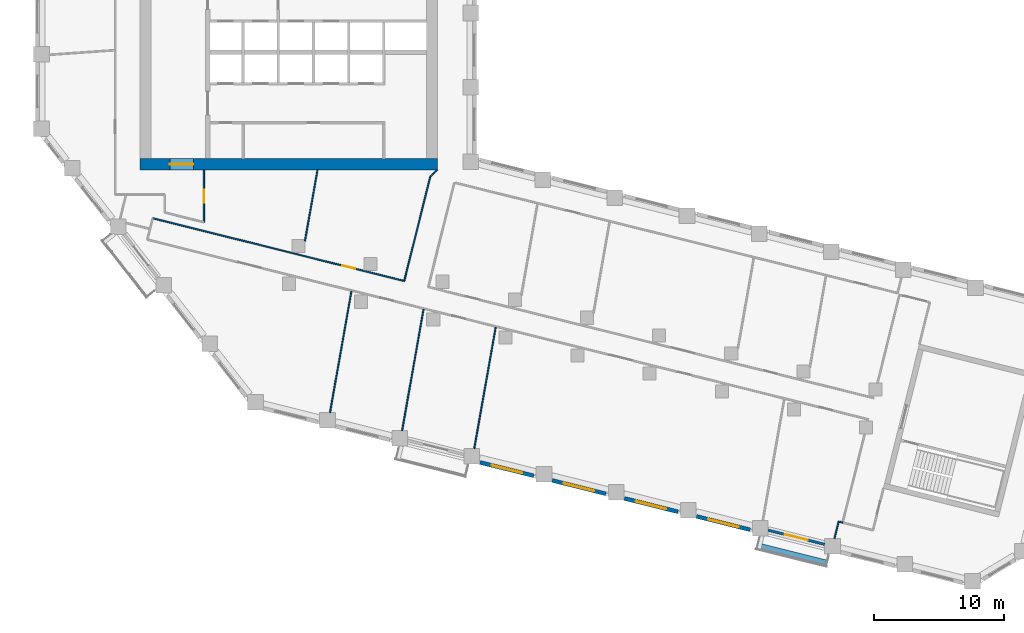
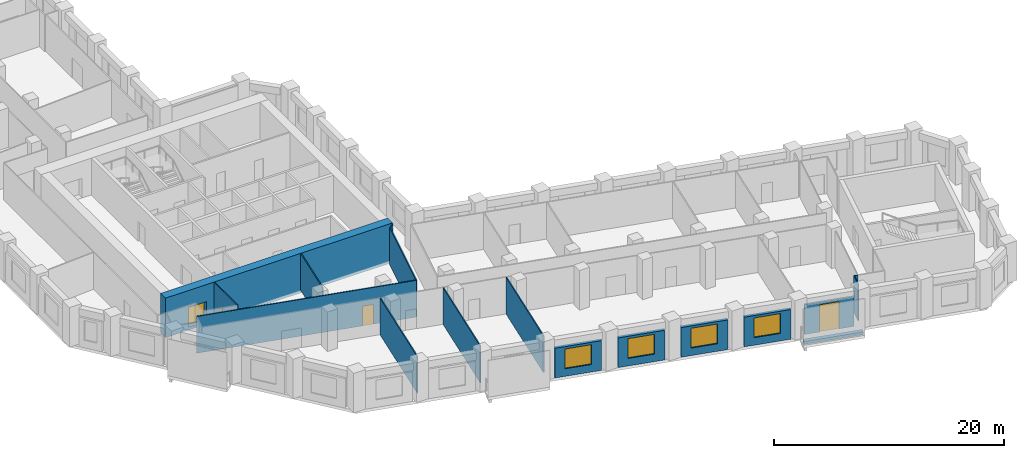
# One storey, part 3 of 10: 17 walls, 4 doors, 4 windows, 8 openings.
"""IFC4 building model written with IfcOpenShell, lengths in metres."""

from ifc_helpers import new_model, si_unit, direction, frame, frame_2d, origin, place, context, subcontext, project, spatial, rectangle, extrude, material, layer, layer_set, type_object, element, fill, save


model = new_model("IFC4")

# Units and contexts
model_context = context("Model", 3, precision=1e-05, world=origin(), true_north=direction((0.0, 1.0)))
body_context = subcontext(model_context, "Body", "Model", "MODEL_VIEW")
ifc_project = project(units=[si_unit("LENGTHUNIT", "METRE"), si_unit("AREAUNIT", "SQUARE_METRE"), si_unit("VOLUMEUNIT", "CUBIC_METRE"), si_unit("PLANEANGLEUNIT", "RADIAN"), si_unit("MASSUNIT", "GRAM", prefix="KILO")], contexts=[model_context])

# Site, building, storey
site_placement = place(None, origin())
site = spatial("IfcSite", under=ifc_project, at=site_placement, CompositionType="ELEMENT")
building_placement = place(site_placement, origin())
building = spatial("IfcBuilding", under=site, at=building_placement, Name="Meshkara Civic Tower", CompositionType="ELEMENT")
storey_placement = place(building_placement, frame((0.0, 0.0, 207.60009765625)))
storey = spatial("IfcBuildingStorey", under=building, at=storey_placement, Name="L47", CompositionType="ELEMENT", Elevation=207.60009765625)

# Wall, opening, door
ifc_material_1 = material(Name="Concrete C70", Category="concrete")
ifc_layer_1 = layer(ifc_material_1, 0.85009765625)
ifc_layer_set_1 = layer_set([ifc_layer_1], Name="Core ring wall 850 C70")
wall_type_1 = type_object("IfcWallType", Name="Core ring wall 850 C70", PredefinedType="SHEAR", material=ifc_layer_set_1)
wall_1_placement = place(storey_placement, frame((8.0, 14.52490234375, -0.300048828125), z_axis=(0.0, 0.0, 1.0), x_axis=(1.0, 0.0, 0.0)))
wall_1 = element("IfcWall", 1, at=wall_1_placement, inside=storey, type_object=wall_type_1, Name="L47-C001", PredefinedType="SHEAR", context=body_context, shape_type="SweptSolid", body=[
    extrude(rectangle(XDim=22.800048828125, YDim=0.85009765625, at=frame_2d((11.39990234375, 0.0))), origin(), (0.0, 0.0, 1.0), 4.199951171875),
])
opening_1_placement = place(wall_1_placement, frame((2.300048828125, 0.0, 0.300048828125)))
opening_1 = element("IfcOpeningElement", 2, at=opening_1_placement, cuts=wall_1, Name="Opening L47-K021", PredefinedType="OPENING", context=body_context, shape_type="SweptSolid", body=[
    extrude(rectangle(XDim=1.800048828125, YDim=2.10009765625, at=frame_2d((0.89990234375, 1.050048828125))), frame((0.0, 0.43505859375, 0.0), z_axis=(0.0, -1.0, 0.0), x_axis=(1.0, 0.0, 0.0)), (0.0, 0.0, 1.0), 0.8701171875),
])
ifc_material_2 = material(Name="Fire-rated door leaf in steel frame", Category="steel")
door_type_1 = type_object("IfcDoorType", Name="Core double door 1800 EI 60", OperationType="DOUBLE_DOOR_SINGLE_SWING", PredefinedType="DOOR", material=ifc_material_2)
door_1_placement = place(opening_1_placement, origin())
door_1 = element("IfcDoor", 3, at=door_1_placement, inside=storey, type_object=door_type_1, Name="L47-K021", OperationType="DOUBLE_DOOR_SINGLE_SWING", OverallHeight=2.10009765625, OverallWidth=1.800048828125, PredefinedType="DOOR", context=body_context, shape_type="SweptSolid", body=[
    extrude(rectangle(XDim=1.800048828125, YDim=2.10009765625, at=frame_2d((0.89990234375, 1.050048828125))), frame((0.0, 0.02490234375, 0.0), z_axis=(0.0, -1.0, 0.0), x_axis=(1.0, 0.0, 0.0)), (0.0, 0.0, 1.0), 0.050048828125),
])
fill(opening_1, door_1)

ifc_material_3 = material(Name="Corridor wall 100")
ifc_layer_2 = layer(ifc_material_3, 0.10009765625)
ifc_layer_set_2 = layer_set([ifc_layer_2], Name="Corridor wall 100")
wall_type_2 = type_object("IfcWallType", Name="Corridor wall 100", PredefinedType="PARTITIONING", material=ifc_layer_set_2)
wall_2_placement = place(storey_placement, frame((8.972900390625, 10.382080078125, 0.0), z_axis=(0.0, 0.0, 1.0), x_axis=(0.970286808807, -0.241957658808, 0.0)))
wall_2 = element("IfcWall", 4, at=wall_2_placement, inside=storey, type_object=wall_type_2, Name="L47-W007", PredefinedType="PARTITIONING", context=body_context, shape_type="SweptSolid", body=[
    extrude(rectangle(XDim=19.879638671875, YDim=0.10009765625, at=frame_2d((9.93994140625, 0.0))), origin(), (0.0, 0.0, 1.0), 3.89990234375),
])
opening_2_placement = place(wall_2_placement, frame((15.006103515625, 0.0, 0.0)))
opening_2 = element("IfcOpeningElement", 5, at=opening_2_placement, cuts=wall_2, Name="Opening L47-D013", PredefinedType="OPENING", context=body_context, shape_type="SweptSolid", body=[
    extrude(rectangle(XDim=1.0, YDim=2.10009765625, at=frame_2d((0.5, 1.050048828125))), frame((0.0, 0.06005859375, 0.0), z_axis=(0.0, -1.0, 0.0), x_axis=(1.0, 0.0, 0.0)), (0.0, 0.0, 1.0), 0.1201171875),
])
ifc_material_4 = material(Name="Door 1000 x 2100")
door_type_2 = type_object("IfcDoorType", Name="Door 1000 x 2100", OperationType="SINGLE_SWING_LEFT", PredefinedType="DOOR", material=ifc_material_4)
door_2_placement = place(opening_2_placement, origin())
door_2 = element("IfcDoor", 6, at=door_2_placement, inside=storey, type_object=door_type_2, Name="L47-D013", OperationType="SINGLE_SWING_LEFT", OverallHeight=2.10009765625, OverallWidth=1.0, PredefinedType="DOOR", context=body_context, shape_type="SweptSolid", body=[
    extrude(rectangle(XDim=1.0, YDim=2.10009765625, at=frame_2d((0.5, 1.050048828125))), frame((0.0, 0.02490234375, 0.0), z_axis=(0.0, -1.0, 0.0), x_axis=(1.0, 0.0, 0.0)), (0.0, 0.0, 1.0), 0.050048828125),
])
fill(opening_2, door_2)

wall_3_placement = place(storey_placement, frame((12.89990234375, 10.077880859375, 0.0), z_axis=(0.0, 0.0, 1.0), x_axis=(0.0, 1.0, 0.0)))
wall_3 = element("IfcWall", 7, at=wall_3_placement, inside=storey, type_object=wall_type_2, Name="L47-W014", PredefinedType="PARTITIONING", context=body_context, shape_type="SweptSolid", body=[
    extrude(rectangle(XDim=4.022216796875, YDim=0.10009765625, at=frame_2d((2.01123046875, 0.0))), origin(), (0.0, 0.0, 1.0), 3.89990234375),
])
opening_3_placement = place(wall_3_placement, frame((1.47998046875, 0.0, 0.0)))
opening_3 = element("IfcOpeningElement", 8, at=opening_3_placement, cuts=wall_3, Name="Opening L47-D016", PredefinedType="OPENING", context=body_context, shape_type="SweptSolid", body=[
    extrude(rectangle(XDim=1.0, YDim=2.10009765625, at=frame_2d((0.5, 1.050048828125))), frame((0.0, 0.06005859375, 0.0), z_axis=(0.0, -1.0, 0.0), x_axis=(1.0, 0.0, 0.0)), (0.0, 0.0, 1.0), 0.1201171875),
])
door_3_placement = place(opening_3_placement, origin())
door_3 = element("IfcDoor", 9, at=door_3_placement, inside=storey, type_object=door_type_2, Name="L47-D016", OperationType="SINGLE_SWING_RIGHT", OverallHeight=2.10009765625, OverallWidth=1.0, PredefinedType="DOOR", context=body_context, shape_type="SweptSolid", body=[
    extrude(rectangle(XDim=1.0, YDim=2.10009765625, at=frame_2d((0.5, 1.050048828125))), frame((0.0, 0.02490234375, 0.0), z_axis=(0.0, -1.0, 0.0), x_axis=(1.0, 0.0, 0.0)), (0.0, 0.0, 1.0), 0.050048828125),
])
fill(opening_3, door_3)

# Walls
wall_4_placement = place(storey_placement, frame((30.259033203125, 13.5830078125, 0.0), z_axis=(0.0, 0.0, 1.0), x_axis=(-0.241888494143, -0.970304053584, 0.0)))
element("IfcWall", 10, at=wall_4_placement, inside=storey, type_object=wall_type_2, Name="L47-W024", PredefinedType="PARTITIONING", context=body_context, shape_type="SweptSolid", body=[
    extrude(rectangle(XDim=8.256103515625, YDim=0.10009765625, at=frame_2d((4.1279296875, 0.0))), origin(), (0.0, 0.0, 1.0), 3.89990234375),
])
wall_5_placement = place(storey_placement, frame((30.800048828125, 14.10009765625, 0.0), z_axis=(0.0, 0.0, 1.0), x_axis=(-0.722911025189, -0.690941133281, 0.0)))
element("IfcWall", 11, at=wall_5_placement, inside=storey, type_object=wall_type_2, Name="L47-W025", PredefinedType="PARTITIONING", context=body_context, shape_type="SweptSolid", body=[
    extrude(rectangle(XDim=0.748291015625, YDim=0.10009765625, at=frame_2d((0.3740234375, 0.0))), origin(), (0.0, 0.0, 1.0), 3.89990234375),
])

# Wall, opening, window
ifc_material_5 = material(Name="Insulated infill panel with bronze anodised aluminium cladding", Category="aluminium")
ifc_layer_3 = layer(ifc_material_5, 0.300048828125)
ifc_layer_set_3 = layer_set([ifc_layer_3], Name="EXTERNAL INFILL WALL 300")
wall_type_3 = type_object("IfcWallType", Name="EXTERNAL INFILL WALL 300", PredefinedType="SOLIDWALL", material=ifc_layer_set_3)
wall_6_placement = place(storey_placement, frame((34.075927734375, -8.342041015625, 0.0), z_axis=(0.0, 0.0, 1.0), x_axis=(0.970318118028, -0.241832069473, 0.0)))
wall_6 = element("IfcWall", 12, at=wall_6_placement, inside=storey, type_object=wall_type_3, Name="External wall", PredefinedType="SOLIDWALL", context=body_context, shape_type="SweptSolid", body=[
    extrude(rectangle(XDim=4.24609375, YDim=0.300048828125, at=frame_2d((2.123046875, 0.0))), origin(), (0.0, 0.0, 1.0), 3.14990234375),
])
opening_4_placement = place(wall_6_placement, frame((0.923095703125, 0.0, 0.800048828125)))
opening_4 = element("IfcOpeningElement", 13, at=opening_4_placement, cuts=wall_6, Name="Opening W7", PredefinedType="OPENING", context=body_context, shape_type="SweptSolid", body=[
    extrude(rectangle(XDim=2.39990234375, YDim=2.10009765625, at=frame_2d((1.199951171875, 1.050048828125))), frame((0.0, 0.159912109375, 0.0), z_axis=(0.0, -1.0, 0.0), x_axis=(1.0, 0.0, 0.0)), (0.0, 0.0, 1.0), 0.320068359375),
])
ifc_material_6 = material(Name="Tinted double glazing", Category="glass")
window_type = type_object("IfcWindowType", Name="WINDOW 2400x2100", PartitioningType="DOUBLE_PANEL_VERTICAL", PredefinedType="WINDOW", material=ifc_material_6)
window_1_placement = place(opening_4_placement, origin())
window_1 = element("IfcWindow", 14, at=window_1_placement, inside=storey, type_object=window_type, Name="Window", OverallHeight=2.10009765625, OverallWidth=2.39990234375, PartitioningType="DOUBLE_PANEL_VERTICAL", PredefinedType="WINDOW", context=body_context, shape_type="SweptSolid", body=[
    extrude(rectangle(XDim=2.39990234375, YDim=2.10009765625, at=frame_2d((1.199951171875, 1.050048828125))), frame((0.0, 0.030029296875, 0.0), z_axis=(0.0, -1.0, 0.0), x_axis=(1.0, 0.0, 0.0)), (0.0, 0.0, 1.0), 0.06005859375),
])
fill(opening_4, window_1)

wall_7_placement = place(storey_placement, frame((39.60693359375, -9.719970703125, 0.0), z_axis=(0.0, 0.0, 1.0), x_axis=(0.970250625545, -0.242102712975, 0.0)))
wall_7 = element("IfcWall", 15, at=wall_7_placement, inside=storey, type_object=wall_type_3, Name="External wall", PredefinedType="SOLIDWALL", context=body_context, shape_type="SweptSolid", body=[
    extrude(rectangle(XDim=4.246337890625, YDim=0.300048828125, at=frame_2d((2.123046875, 0.0))), origin(), (0.0, 0.0, 1.0), 3.14990234375),
])
opening_5_placement = place(wall_7_placement, frame((0.923095703125, 0.0, 0.800048828125)))
opening_5 = element("IfcOpeningElement", 16, at=opening_5_placement, cuts=wall_7, Name="Opening W7", PredefinedType="OPENING", context=body_context, shape_type="SweptSolid", body=[
    extrude(rectangle(XDim=2.39990234375, YDim=2.10009765625, at=frame_2d((1.199951171875, 1.050048828125))), frame((0.0, 0.159912109375, 0.0), z_axis=(0.0, -1.0, 0.0), x_axis=(1.0, 0.0, 0.0)), (0.0, 0.0, 1.0), 0.320068359375),
])
window_2_placement = place(opening_5_placement, origin())
window_2 = element("IfcWindow", 17, at=window_2_placement, inside=storey, type_object=window_type, Name="Window", OverallHeight=2.10009765625, OverallWidth=2.39990234375, PartitioningType="DOUBLE_PANEL_VERTICAL", PredefinedType="WINDOW", context=body_context, shape_type="SweptSolid", body=[
    extrude(rectangle(XDim=2.39990234375, YDim=2.10009765625, at=frame_2d((1.199951171875, 1.050048828125))), frame((0.0, 0.030029296875, 0.0), z_axis=(0.0, -1.0, 0.0), x_axis=(1.0, 0.0, 0.0)), (0.0, 0.0, 1.0), 0.06005859375),
])
fill(opening_5, window_2)

wall_8_placement = place(storey_placement, frame((45.137939453125, -11.09912109375, 0.0), z_axis=(0.0, 0.0, 1.0), x_axis=(0.970304663212, -0.241886048688, 0.0)))
wall_8 = element("IfcWall", 18, at=wall_8_placement, inside=storey, type_object=wall_type_3, Name="External wall", PredefinedType="SOLIDWALL", context=body_context, shape_type="SweptSolid", body=[
    extrude(rectangle(XDim=4.2451171875, YDim=0.300048828125, at=frame_2d((2.12255859375, 0.0))), origin(), (0.0, 0.0, 1.0), 3.14990234375),
])
opening_6_placement = place(wall_8_placement, frame((0.922119140625, 0.0, 0.800048828125)))
opening_6 = element("IfcOpeningElement", 19, at=opening_6_placement, cuts=wall_8, Name="Opening W7", PredefinedType="OPENING", context=body_context, shape_type="SweptSolid", body=[
    extrude(rectangle(XDim=2.39990234375, YDim=2.10009765625, at=frame_2d((1.199951171875, 1.050048828125))), frame((0.0, 0.159912109375, 0.0), z_axis=(0.0, -1.0, 0.0), x_axis=(1.0, 0.0, 0.0)), (0.0, 0.0, 1.0), 0.320068359375),
])
window_3_placement = place(opening_6_placement, origin())
window_3 = element("IfcWindow", 20, at=window_3_placement, inside=storey, type_object=window_type, Name="Window", OverallHeight=2.10009765625, OverallWidth=2.39990234375, PartitioningType="DOUBLE_PANEL_VERTICAL", PredefinedType="WINDOW", context=body_context, shape_type="SweptSolid", body=[
    extrude(rectangle(XDim=2.39990234375, YDim=2.10009765625, at=frame_2d((1.199951171875, 1.050048828125))), frame((0.0, 0.030029296875, 0.0), z_axis=(0.0, -1.0, 0.0), x_axis=(1.0, 0.0, 0.0)), (0.0, 0.0, 1.0), 0.06005859375),
])
fill(opening_6, window_3)

wall_9_placement = place(storey_placement, frame((50.66796875, -12.47802734375, 0.0), z_axis=(0.0, 0.0, 1.0), x_axis=(0.970318118028, -0.241832069473, 0.0)))
wall_9 = element("IfcWall", 21, at=wall_9_placement, inside=storey, type_object=wall_type_3, Name="External wall", PredefinedType="SOLIDWALL", context=body_context, shape_type="SweptSolid", body=[
    extrude(rectangle(XDim=4.24609375, YDim=0.300048828125, at=frame_2d((2.123046875, 0.0))), origin(), (0.0, 0.0, 1.0), 3.14990234375),
])
opening_7_placement = place(wall_9_placement, frame((0.923095703125, 0.0, 0.800048828125)))
opening_7 = element("IfcOpeningElement", 22, at=opening_7_placement, cuts=wall_9, Name="Opening W7", PredefinedType="OPENING", context=body_context, shape_type="SweptSolid", body=[
    extrude(rectangle(XDim=2.39990234375, YDim=2.10009765625, at=frame_2d((1.199951171875, 1.050048828125))), frame((0.0, 0.159912109375, 0.0), z_axis=(0.0, -1.0, 0.0), x_axis=(1.0, 0.0, 0.0)), (0.0, 0.0, 1.0), 0.320068359375),
])
window_4_placement = place(opening_7_placement, origin())
window_4 = element("IfcWindow", 23, at=window_4_placement, inside=storey, type_object=window_type, Name="Window", OverallHeight=2.10009765625, OverallWidth=2.39990234375, PartitioningType="DOUBLE_PANEL_VERTICAL", PredefinedType="WINDOW", context=body_context, shape_type="SweptSolid", body=[
    extrude(rectangle(XDim=2.39990234375, YDim=2.10009765625, at=frame_2d((1.199951171875, 1.050048828125))), frame((0.0, 0.030029296875, 0.0), z_axis=(0.0, -1.0, 0.0), x_axis=(1.0, 0.0, 0.0)), (0.0, 0.0, 1.0), 0.06005859375),
])
fill(opening_7, window_4)

# Wall, opening, door
ifc_material_7 = material(Name="Insulated infill panel with bronze anodised aluminium cladding", Category="aluminium")
ifc_layer_4 = layer(ifc_material_7, 0.199951171875)
ifc_layer_set_4 = layer_set([ifc_layer_4], Name="LOGGIA BACK WALL 200")
wall_type_4 = type_object("IfcWallType", Name="LOGGIA BACK WALL 200", PredefinedType="SOLIDWALL", material=ifc_layer_set_4)
wall_10_placement = place(storey_placement, frame((56.166015625, -13.5400390625, 0.0), z_axis=(0.0, 0.0, 1.0), x_axis=(0.970348073531, -0.241711845374, 0.0)))
wall_10 = element("IfcWall", 24, at=wall_10_placement, inside=storey, type_object=wall_type_4, Name="Loggia wall", PredefinedType="SOLIDWALL", context=body_context, shape_type="SweptSolid", body=[
    extrude(rectangle(XDim=4.46337890625, YDim=0.199951171875, at=frame_2d((2.231689453125, 0.0))), origin(), (0.0, 0.0, 1.0), 3.14990234375),
])
opening_8_placement = place(wall_10_placement, frame((1.3310546875, 0.0, 0.0)))
opening_8 = element("IfcOpeningElement", 25, at=opening_8_placement, cuts=wall_10, Name="Opening L47-L005", PredefinedType="OPENING", context=body_context, shape_type="SweptSolid", body=[
    extrude(rectangle(XDim=1.800048828125, YDim=2.89990234375, at=frame_2d((0.89990234375, 1.449951171875))), frame((0.0, 0.10986328125, 0.0), z_axis=(0.0, -1.0, 0.0), x_axis=(1.0, 0.0, 0.0)), (0.0, 0.0, 1.0), 0.219970703125),
])
ifc_material_8 = material(Name="Tinted double glazing", Category="glass")
door_type_3 = type_object("IfcDoorType", Name="LOGGIA DOOR 1800x2900", OperationType="DOUBLE_DOOR_SINGLE_SWING", PredefinedType="DOOR", material=ifc_material_8)
door_4_placement = place(opening_8_placement, origin())
door_4 = element("IfcDoor", 26, at=door_4_placement, inside=storey, type_object=door_type_3, Name="L47-L005", OperationType="DOUBLE_DOOR_SINGLE_SWING", OverallHeight=2.89990234375, OverallWidth=1.800048828125, PredefinedType="DOOR", context=body_context, shape_type="SweptSolid", body=[
    extrude(rectangle(XDim=1.800048828125, YDim=2.89990234375, at=frame_2d((0.89990234375, 1.449951171875))), frame((0.0, 0.02490234375, 0.0), z_axis=(0.0, -1.0, 0.0), x_axis=(1.0, 0.0, 0.0)), (0.0, 0.0, 1.0), 0.050048828125),
])
fill(opening_8, door_4)

# Walls
ifc_material_9 = material(Name="Concrete C40", Category="concrete")
ifc_layer_5 = layer(ifc_material_9, 0.39990234375)
ifc_layer_set_5 = layer_set([ifc_layer_5], Name="PLANTER TRAY")
wall_type_5 = type_object("IfcWallType", Name="PLANTER TRAY", PredefinedType="SOLIDWALL", material=ifc_layer_set_5)
wall_11_placement = place(storey_placement, frame((55.408935546875, -14.721923828125, 0.0), z_axis=(0.0, 0.0, 1.0), x_axis=(0.970324412772, -0.241806811275, 0.0)))
element("IfcWall", 27, at=wall_11_placement, inside=storey, type_object=wall_type_5, Name="Planter", PredefinedType="SOLIDWALL", context=body_context, shape_type="SweptSolid", body=[
    extrude(rectangle(XDim=5.3603515625, YDim=0.39990234375, at=frame_2d((2.68017578125, 0.0))), origin(), (0.0, 0.0, 1.0), 0.2998046875),
])
ifc_material_10 = material(Name="Partition 100")
ifc_layer_6 = layer(ifc_material_10, 0.10009765625)
ifc_layer_set_6 = layer_set([ifc_layer_6], Name="Partition 100")
wall_type_6 = type_object("IfcWallType", Name="Partition 100", PredefinedType="PARTITIONING", material=ifc_layer_set_6)
wall_12_placement = place(storey_placement, frame((20.64892578125, 8.636962890625, 0.0), z_axis=(0.0, 0.0, 1.0), x_axis=(0.173619629197, 0.984812786451, 0.0)))
element("IfcWall", 28, at=wall_12_placement, inside=storey, type_object=wall_type_6, Name="L47-W043", PredefinedType="PARTITIONING", context=body_context, shape_type="SweptSolid", body=[
    extrude(rectangle(XDim=5.54736328125, YDim=0.10009765625, at=frame_2d((2.773681640625, 0.0))), origin(), (0.0, 0.0, 1.0), 3.89990234375),
])
wall_13_placement = place(storey_placement, frame((22.569091796875, -4.51708984375, 0.0), z_axis=(0.0, 0.0, 1.0), x_axis=(0.173660042162, 0.984805660908, 0.0)))
element("IfcWall", 29, at=wall_13_placement, inside=storey, type_object=wall_type_6, Name="L47-W044", PredefinedType="PARTITIONING", context=body_context, shape_type="SweptSolid", body=[
    extrude(rectangle(XDim=9.44873046875, YDim=0.10009765625, at=frame_2d((4.724365234375, 0.0))), origin(), (0.0, 0.0, 1.0), 3.89990234375),
])
for number, where, z_axis, x_axis, name in (
    (30, (28.10009765625, -5.89599609375, 0.0), (0.0, 0.0, 1.0), (0.173664461196, 0.984804881648, 0.0), "L47-W045"),
    (31, (33.631103515625, -7.27490234375, 0.0), (0.0, 0.0, 1.0), (0.173664461196, 0.984804881648, 0.0), "L47-W046"),
):
    element("IfcWall", number, at=place(storey_placement, frame(where, z_axis=z_axis, x_axis=x_axis)), inside=storey, type_object=wall_type_6, Name=name, PredefinedType="PARTITIONING", context=body_context, shape_type="SweptSolid", body=[
        extrude(rectangle(XDim=9.448486328125, YDim=0.10009765625, at=frame_2d((4.72412109375, 0.0))), origin(), (0.0, 0.0, 1.0), 3.89990234375),
    ])
wall_14_placement = place(storey_placement, frame((61.2470703125, -14.1689453125, 0.0), z_axis=(0.0, 0.0, 1.0), x_axis=(0.241845285879, 0.970314824012, 0.0)))
element("IfcWall", 32, at=wall_14_placement, inside=storey, type_object=wall_type_6, Name="L47-W052", PredefinedType="PARTITIONING", context=body_context, shape_type="SweptSolid", body=[
    extrude(rectangle(XDim=1.33154296875, YDim=0.10009765625, at=frame_2d((0.665771484375, 0.0))), origin(), (0.0, 0.0, 1.0), 3.89990234375),
])
wall_15_placement = place(storey_placement, frame((61.569091796875, -12.876953125, 0.0), z_axis=(0.0, 0.0, 1.0), x_axis=(0.970187597874, -0.242355162789, 0.0)))
element("IfcWall", 33, at=wall_15_placement, inside=storey, type_object=wall_type_6, Name="L47-W053", PredefinedType="PARTITIONING", context=body_context, shape_type="SweptSolid", body=[
    extrude(rectangle(XDim=0.318359375, YDim=0.10009765625, at=frame_2d((0.1591796875, 0.0))), origin(), (0.0, 0.0, 1.0), 3.89990234375),
])

save(model, "model.ifc")
